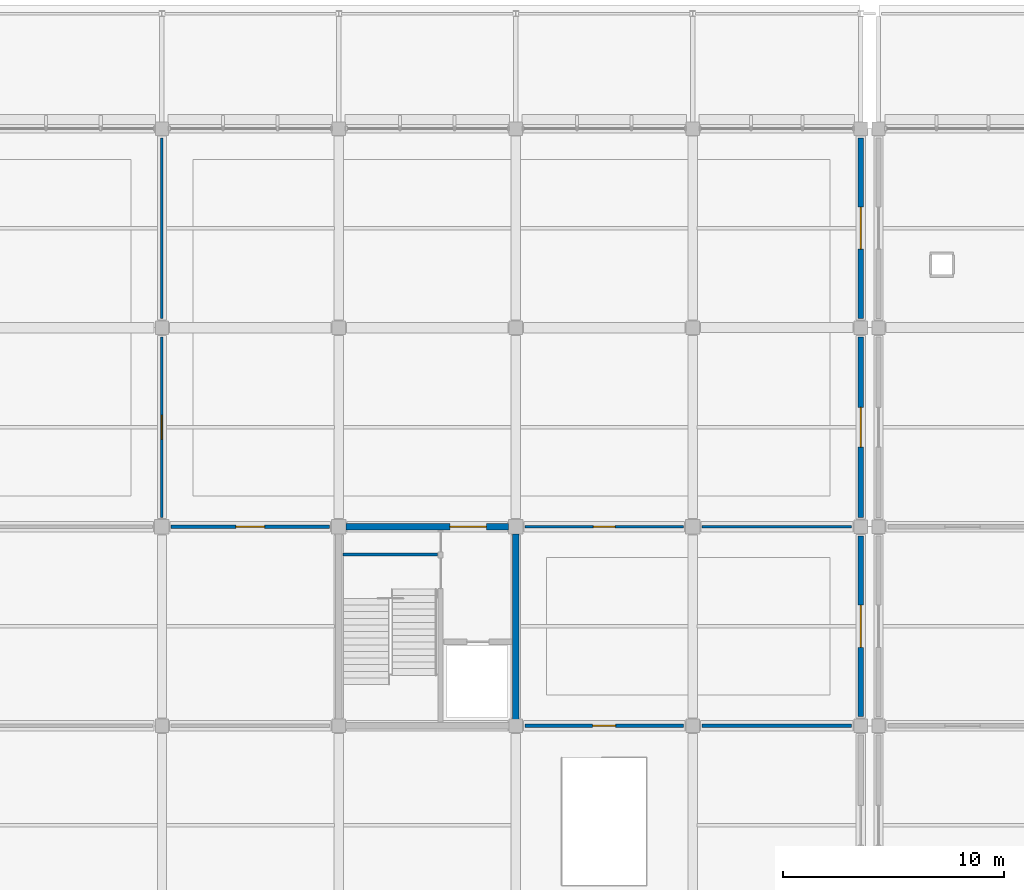
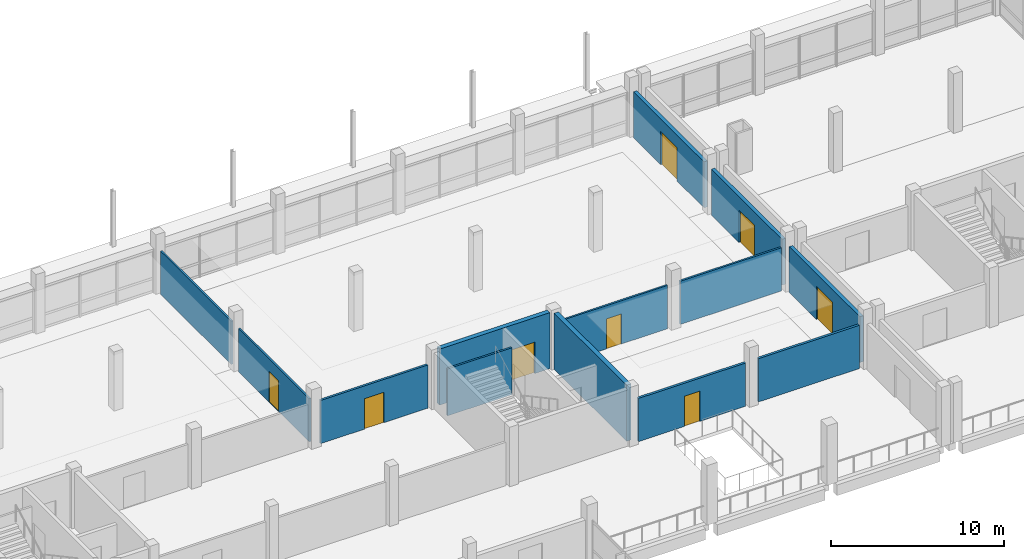
# One storey, part 46 of 57: 13 walls, 8 doors, 8 openings.
"""IFC4 building model written with IfcOpenShell, lengths in metres."""

from ifc_helpers import new_model, si_unit, direction, frame, frame_2d, origin, place, context, subcontext, project, spatial, rectangle, extrude, material, layer, layer_set, type_object, element, fill, save


model = new_model("IFC4")

# Units and contexts
model_context = context("Model", 3, precision=1e-05, world=origin(), true_north=direction((0.0, 1.0)))
body_context = subcontext(model_context, "Body", "Model", "MODEL_VIEW")
ifc_project = project(units=[si_unit("LENGTHUNIT", "METRE"), si_unit("AREAUNIT", "SQUARE_METRE"), si_unit("VOLUMEUNIT", "CUBIC_METRE"), si_unit("PLANEANGLEUNIT", "RADIAN"), si_unit("MASSUNIT", "GRAM", prefix="KILO"), si_unit("THERMODYNAMICTEMPERATUREUNIT", "KELVIN"), si_unit("POWERUNIT", "WATT")], contexts=[model_context])

# Site, building, storey
site_placement = place(None, origin())
site = spatial("IfcSite", under=ifc_project, at=site_placement, CompositionType="ELEMENT")
building_placement = place(site_placement, origin())
building = spatial("IfcBuilding", under=site, at=building_placement, Name="Kronsvod Quay Wholesale Market", CompositionType="ELEMENT")
storey_placement = place(building_placement, frame((0.0, 0.0, 4.800048828125)))
storey = spatial("IfcBuildingStorey", under=building, at=storey_placement, Name="L01", CompositionType="ELEMENT", Elevation=4.800048828125)

# Wall, opening, door
ifc_material_1 = material(Name="Concrete C35/45", Category="concrete")
ifc_layer_1 = layer(ifc_material_1, 0.300048828125)
ifc_layer_set_1 = layer_set([ifc_layer_1], Name="Concrete C35/45")
wall_type_1 = type_object("IfcWallType", Name="Wall_CoreShear300", PredefinedType="SHEAR", material=ifc_layer_set_1)
wall_1_placement = place(storey_placement, frame((104.320068359375, 108.0, 0.0), z_axis=(0.0, 0.0, 1.0), x_axis=(1.0, 0.0, 0.0)))
wall_1 = element("IfcWall", 1, at=wall_1_placement, inside=storey, type_object=wall_type_1, Name="CW-C09-L01-N", PredefinedType="SHEAR", context=body_context, shape_type="SweptSolid", body=[
    extrude(rectangle(XDim=7.35986328125, YDim=0.300048828125, at=frame_2d((3.679931640625, 0.0))), origin(), (0.0, 0.0, 1.0), 3.954833984375),
])
opening_1_placement = place(wall_1_placement, frame((4.699951171875, 0.0, 0.0)))
opening_1 = element("IfcOpeningElement", 2, at=opening_1_placement, cuts=wall_1, Name="Opening D-0096", PredefinedType="OPENING", context=body_context, shape_type="SweptSolid", body=[
    extrude(rectangle(XDim=1.64990234375, YDim=2.219970703125, at=frame_2d((0.824951171875, 1.10986328125))), frame((0.0, 0.16015625, 0.0), z_axis=(0.0, -1.0, 0.0), x_axis=(1.0, 0.0, 0.0)), (0.0, 0.0, 1.0), 0.320068359375),
])
ifc_material_2 = material(Name="Painted galvanized fire steel", Category="steel")
door_type_1 = type_object("IfcDoorType", Name="Door_FireLobby165x222", OperationType="DOUBLE_DOOR_SINGLE_SWING", PredefinedType="DOOR", material=ifc_material_2)
door_1_placement = place(opening_1_placement, origin())
door_1 = element("IfcDoor", 3, at=door_1_placement, inside=storey, type_object=door_type_1, Name="Core Lobby Door D-0096", OperationType="DOUBLE_DOOR_SINGLE_SWING", OverallHeight=2.219970703125, OverallWidth=1.64990234375, PredefinedType="DOOR", context=body_context, shape_type="SweptSolid", body=[
    extrude(rectangle(XDim=1.64990234375, YDim=2.219970703125, at=frame_2d((0.824951171875, 1.10986328125))), frame((0.0, 0.02490234375, 0.0), z_axis=(0.0, -1.0, 0.0), x_axis=(1.0, 0.0, 0.0)), (0.0, 0.0, 1.0), 0.050048828125),
])
fill(opening_1, door_1)

# Wall
wall_2_placement = place(storey_placement, frame((112.0, 99.294921875, 0.0), z_axis=(0.0, 0.0, 1.0), x_axis=(0.0, 1.0, 0.0)))
element("IfcWall", 4, at=wall_2_placement, inside=storey, type_object=wall_type_1, Name="CW-C09-L01-E", PredefinedType="SHEAR", context=body_context, shape_type="SweptSolid", body=[
    extrude(rectangle(XDim=8.385009765625, YDim=0.300048828125, at=frame_2d((4.1923828125, 0.0))), origin(), (0.0, 0.0, 1.0), 3.954833984375),
])

# Wall, opening, door
ifc_material_3 = material(Name="Precast concrete C40/50", Category="concrete")
ifc_layer_2 = layer(ifc_material_3, 0.239990234375)
ifc_layer_set_2 = layer_set([ifc_layer_2], Name="Precast concrete C40/50")
wall_type_2 = type_object("IfcWallType", Name="Wall_ExtSpandrel240", PredefinedType="SOLIDWALL", material=ifc_layer_set_2)
wall_3_placement = place(storey_placement, frame((127.60009765625, 99.419921875, 0.0), z_axis=(0.0, 0.0, 1.0), x_axis=(0.0, 1.0, 0.0)))
wall_3 = element("IfcWall", 5, at=wall_3_placement, inside=storey, type_object=wall_type_2, Name="MJWG-L01-1276-990", PredefinedType="SOLIDWALL", context=body_context, shape_type="SweptSolid", body=[
    extrude(rectangle(XDim=8.16015625, YDim=0.239990234375, at=frame_2d((4.080078125, 0.0))), origin(), (0.0, 0.0, 1.0), 3.239990234375),
])
opening_2_placement = place(wall_3_placement, frame((3.1298828125, 0.0, 0.0)))
opening_2 = element("IfcOpeningElement", 6, at=opening_2_placement, cuts=wall_3, Name="Opening D-0365", PredefinedType="OPENING", context=body_context, shape_type="SweptSolid", body=[
    extrude(rectangle(XDim=1.89990234375, YDim=2.35009765625, at=frame_2d((0.949951171875, 1.175048828125))), frame((0.0, 0.1298828125, 0.0), z_axis=(0.0, -1.0, 0.0), x_axis=(1.0, 0.0, 0.0)), (0.0, 0.0, 1.0), 0.260009765625),
])
ifc_material_4 = material(Name="Painted galvanized fire steel", Category="steel")
door_type_2 = type_object("IfcDoorType", Name="Door_FireComp190x235", OperationType="DOUBLE_DOOR_SINGLE_SWING", PredefinedType="DOOR", material=ifc_material_4)
door_2_placement = place(opening_2_placement, origin())
door_2 = element("IfcDoor", 7, at=door_2_placement, inside=storey, type_object=door_type_2, Name="Fire Compartment Door D-0365", OperationType="DOUBLE_DOOR_SINGLE_SWING", OverallHeight=2.35009765625, OverallWidth=1.89990234375, PredefinedType="DOOR", context=body_context, shape_type="SweptSolid", body=[
    extrude(rectangle(XDim=1.89990234375, YDim=2.35009765625, at=frame_2d((0.949951171875, 1.175048828125))), frame((0.0, 0.02490234375, 0.0), z_axis=(0.0, -1.0, 0.0), x_axis=(1.0, 0.0, 0.0)), (0.0, 0.0, 1.0), 0.050048828125),
])
fill(opening_2, door_2)

wall_4_placement = place(storey_placement, frame((127.60009765625, 108.419921875, 0.0), z_axis=(0.0, 0.0, 1.0), x_axis=(0.0, 1.0, 0.0)))
wall_4 = element("IfcWall", 8, at=wall_4_placement, inside=storey, type_object=wall_type_2, Name="MJWG-L01-1276-1080", PredefinedType="SOLIDWALL", context=body_context, shape_type="SweptSolid", body=[
    extrude(rectangle(XDim=8.16015625, YDim=0.239990234375, at=frame_2d((4.080078125, 0.0))), origin(), (0.0, 0.0, 1.0), 3.239990234375),
])
opening_3_placement = place(wall_4_placement, frame((3.179931640625, 0.0, 0.0)))
opening_3 = element("IfcOpeningElement", 9, at=opening_3_placement, cuts=wall_4, Name="Opening D-0366", PredefinedType="OPENING", context=body_context, shape_type="SweptSolid", body=[
    extrude(rectangle(XDim=1.800048828125, YDim=2.300048828125, at=frame_2d((0.89990234375, 1.14990234375))), frame((0.0, 0.1298828125, 0.0), z_axis=(0.0, -1.0, 0.0), x_axis=(1.0, 0.0, 0.0)), (0.0, 0.0, 1.0), 0.260009765625),
])
ifc_material_5 = material(Name="Painted galvanized fire steel", Category="steel")
door_type_3 = type_object("IfcDoorType", Name="Door_FireComp180x230", OperationType="DOUBLE_DOOR_SINGLE_SWING", PredefinedType="DOOR", material=ifc_material_5)
door_3_placement = place(opening_3_placement, origin())
door_3 = element("IfcDoor", 10, at=door_3_placement, inside=storey, type_object=door_type_3, Name="Fire Compartment Door D-0366", OperationType="DOUBLE_DOOR_SINGLE_SWING", OverallHeight=2.300048828125, OverallWidth=1.800048828125, PredefinedType="DOOR", context=body_context, shape_type="SweptSolid", body=[
    extrude(rectangle(XDim=1.800048828125, YDim=2.300048828125, at=frame_2d((0.89990234375, 1.14990234375))), frame((0.0, 0.02490234375, 0.0), z_axis=(0.0, -1.0, 0.0), x_axis=(1.0, 0.0, 0.0)), (0.0, 0.0, 1.0), 0.050048828125),
])
fill(opening_3, door_3)

wall_5_placement = place(storey_placement, frame((127.60009765625, 117.419921875, 0.0), z_axis=(0.0, 0.0, 1.0), x_axis=(0.0, 1.0, 0.0)))
wall_5 = element("IfcWall", 11, at=wall_5_placement, inside=storey, type_object=wall_type_2, Name="MJWG-L01-1276-1170", PredefinedType="SOLIDWALL", context=body_context, shape_type="SweptSolid", body=[
    extrude(rectangle(XDim=8.16015625, YDim=0.239990234375, at=frame_2d((4.080078125, 0.0))), origin(), (0.0, 0.0, 1.0), 3.239990234375),
])
opening_4_placement = place(wall_5_placement, frame((3.1298828125, 0.0, 0.0)))
opening_4 = element("IfcOpeningElement", 12, at=opening_4_placement, cuts=wall_5, Name="Opening D-0367", PredefinedType="OPENING", context=body_context, shape_type="SweptSolid", body=[
    extrude(rectangle(XDim=1.89990234375, YDim=2.35009765625, at=frame_2d((0.949951171875, 1.175048828125))), frame((0.0, 0.1298828125, 0.0), z_axis=(0.0, -1.0, 0.0), x_axis=(1.0, 0.0, 0.0)), (0.0, 0.0, 1.0), 0.260009765625),
])
door_4_placement = place(opening_4_placement, origin())
door_4 = element("IfcDoor", 13, at=door_4_placement, inside=storey, type_object=door_type_2, Name="Fire Compartment Door D-0367", OperationType="DOUBLE_DOOR_SINGLE_SWING", OverallHeight=2.35009765625, OverallWidth=1.89990234375, PredefinedType="DOOR", context=body_context, shape_type="SweptSolid", body=[
    extrude(rectangle(XDim=1.89990234375, YDim=2.35009765625, at=frame_2d((0.949951171875, 1.175048828125))), frame((0.0, 0.02490234375, 0.0), z_axis=(0.0, -1.0, 0.0), x_axis=(1.0, 0.0, 0.0)), (0.0, 0.0, 1.0), 0.050048828125),
])
fill(opening_4, door_4)

ifc_material_6 = material(Name="Fire-rated corridor gypsum partition")
ifc_layer_3 = layer(ifc_material_6, 0.159912109375)
ifc_layer_set_3 = layer_set([ifc_layer_3], Name="Fire-rated corridor gypsum partition")
wall_type_3 = type_object("IfcWallType", Name="Wall_PartCorridor160", PredefinedType="PARTITIONING", material=ifc_layer_set_3)
wall_6_placement = place(storey_placement, frame((112.419921875, 99.0, 0.0), z_axis=(0.0, 0.0, 1.0), x_axis=(1.0, 0.0, 0.0)))
wall_6 = element("IfcWall", 14, at=wall_6_placement, inside=storey, type_object=wall_type_3, Name="PW-L01-0074", PredefinedType="PARTITIONING", context=body_context, shape_type="SweptSolid", body=[
    extrude(rectangle(XDim=7.16015625, YDim=0.159912109375, at=frame_2d((3.580078125, 0.0))), origin(), (0.0, 0.0, 1.0), 3.050048828125),
])
opening_5_placement = place(wall_6_placement, frame((3.06005859375, 0.0, 0.0)))
opening_5 = element("IfcOpeningElement", 15, at=opening_5_placement, cuts=wall_6, Name="Opening D-0257", PredefinedType="OPENING", context=body_context, shape_type="SweptSolid", body=[
    extrude(rectangle(XDim=1.0400390625, YDim=2.1298828125, at=frame_2d((0.52001953125, 1.06494140625))), frame((0.0, 0.08984375, 0.0), z_axis=(0.0, -1.0, 0.0), x_axis=(1.0, 0.0, 0.0)), (0.0, 0.0, 1.0), 0.179931640625),
])
ifc_material_7 = material(Name="Solid-core timber office door", Category="wood")
door_type_4 = type_object("IfcDoorType", Name="Door_Office104x213", OperationType="NOTDEFINED", PredefinedType="DOOR", material=ifc_material_7)
door_5_placement = place(opening_5_placement, origin())
door_5 = element("IfcDoor", 16, at=door_5_placement, inside=storey, type_object=door_type_4, Name="Interior Door D-0257", OperationType="SINGLE_SWING_RIGHT", OverallHeight=2.1298828125, OverallWidth=1.0400390625, PredefinedType="DOOR", context=body_context, shape_type="SweptSolid", body=[
    extrude(rectangle(XDim=1.0400390625, YDim=2.1298828125, at=frame_2d((0.52001953125, 1.06494140625))), frame((0.0, 0.02490234375, 0.0), z_axis=(0.0, -1.0, 0.0), x_axis=(1.0, 0.0, 0.0)), (0.0, 0.0, 1.0), 0.050048828125),
])
fill(opening_5, door_5)

# Wall
wall_7_placement = place(storey_placement, frame((120.419921875, 99.0, 0.0), z_axis=(0.0, 0.0, 1.0), x_axis=(1.0, 0.0, 0.0)))
element("IfcWall", 17, at=wall_7_placement, inside=storey, type_object=wall_type_3, Name="PW-L01-0075", PredefinedType="PARTITIONING", context=body_context, shape_type="SweptSolid", body=[
    extrude(rectangle(XDim=6.760009765625, YDim=0.159912109375, at=frame_2d((3.3798828125, 0.0))), origin(), (0.0, 0.0, 1.0), 3.050048828125),
])

# Wall, opening, door
ifc_material_8 = material(Name="Ceramic-faced kitchen masonry partition", Category="masonry")
ifc_layer_4 = layer(ifc_material_8, 0.14501953125)
ifc_layer_set_4 = layer_set([ifc_layer_4], Name="Ceramic-faced kitchen masonry partition")
wall_type_4 = type_object("IfcWallType", Name="Wall_PartKitchen145", PredefinedType="PARTITIONING", material=ifc_layer_set_4)
wall_8_placement = place(storey_placement, frame((96.419921875, 108.0, 0.0), z_axis=(0.0, 0.0, 1.0), x_axis=(1.0, 0.0, 0.0)))
wall_8 = element("IfcWall", 18, at=wall_8_placement, inside=storey, type_object=wall_type_4, Name="PW-L01-0085", PredefinedType="PARTITIONING", context=body_context, shape_type="SweptSolid", body=[
    extrude(rectangle(XDim=7.16015625, YDim=0.14501953125, at=frame_2d((3.580078125, 0.0))), origin(), (0.0, 0.0, 1.0), 3.050048828125),
])
opening_6_placement = place(wall_8_placement, frame((2.929931640625, 0.0, 0.0)))
opening_6 = element("IfcOpeningElement", 19, at=opening_6_placement, cuts=wall_8, Name="Opening D-0265", PredefinedType="OPENING", context=body_context, shape_type="SweptSolid", body=[
    extrude(rectangle(XDim=1.300048828125, YDim=2.14990234375, at=frame_2d((0.64990234375, 1.074951171875))), frame((0.0, 0.08251953125, 0.0), z_axis=(0.0, -1.0, 0.0), x_axis=(1.0, 0.0, 0.0)), (0.0, 0.0, 1.0), 0.1650390625),
])
ifc_material_9 = material(Name="Stainless kitchen swing door", Category="steel")
door_type_5 = type_object("IfcDoorType", Name="Door_Kitchen130x215", OperationType="DOUBLE_DOOR_DOUBLE_SWING", PredefinedType="DOOR", material=ifc_material_9)
door_6_placement = place(opening_6_placement, origin())
door_6 = element("IfcDoor", 20, at=door_6_placement, inside=storey, type_object=door_type_5, Name="Interior Door D-0265", OperationType="DOUBLE_DOOR_DOUBLE_SWING", OverallHeight=2.14990234375, OverallWidth=1.300048828125, PredefinedType="DOOR", context=body_context, shape_type="SweptSolid", body=[
    extrude(rectangle(XDim=1.300048828125, YDim=2.14990234375, at=frame_2d((0.64990234375, 1.074951171875))), frame((0.0, 0.02490234375, 0.0), z_axis=(0.0, -1.0, 0.0), x_axis=(1.0, 0.0, 0.0)), (0.0, 0.0, 1.0), 0.050048828125),
])
fill(opening_6, door_6)

ifc_material_10 = material(Name="Lightweight demountable office partition")
ifc_layer_5 = layer(ifc_material_10, 0.1201171875)
ifc_layer_set_5 = layer_set([ifc_layer_5], Name="Lightweight demountable office partition")
wall_type_5 = type_object("IfcWallType", Name="Wall_PartOffice120", PredefinedType="PARTITIONING", material=ifc_layer_set_5)
wall_9_placement = place(storey_placement, frame((96.0, 108.419921875, 0.0), z_axis=(0.0, 0.0, 1.0), x_axis=(0.0, 1.0, 0.0)))
wall_9 = element("IfcWall", 21, at=wall_9_placement, inside=storey, type_object=wall_type_5, Name="PW-L01-0090", PredefinedType="PARTITIONING", context=body_context, shape_type="SweptSolid", body=[
    extrude(rectangle(XDim=8.16015625, YDim=0.1201171875, at=frame_2d((4.080078125, 0.0))), origin(), (0.0, 0.0, 1.0), 3.050048828125),
])
opening_7_placement = place(wall_9_placement, frame((3.5400390625, 0.0, 0.0)))
opening_7 = element("IfcOpeningElement", 22, at=opening_7_placement, cuts=wall_9, Name="Opening D-0269", PredefinedType="OPENING", context=body_context, shape_type="SweptSolid", body=[
    extrude(rectangle(XDim=1.080078125, YDim=2.159912109375, at=frame_2d((0.5400390625, 1.080078125))), frame((0.0, 0.070068359375, 0.0), z_axis=(0.0, -1.0, 0.0), x_axis=(1.0, 0.0, 0.0)), (0.0, 0.0, 1.0), 0.14013671875),
])
ifc_material_11 = material(Name="Solid-core timber office door", Category="wood")
door_type_6 = type_object("IfcDoorType", Name="Door_Office108x216", OperationType="NOTDEFINED", PredefinedType="DOOR", material=ifc_material_11)
door_7_placement = place(opening_7_placement, origin())
door_7 = element("IfcDoor", 23, at=door_7_placement, inside=storey, type_object=door_type_6, Name="Interior Door D-0269", OperationType="SINGLE_SWING_RIGHT", OverallHeight=2.159912109375, OverallWidth=1.080078125, PredefinedType="DOOR", context=body_context, shape_type="SweptSolid", body=[
    extrude(rectangle(XDim=1.080078125, YDim=2.159912109375, at=frame_2d((0.5400390625, 1.080078125))), frame((0.0, 0.02490234375, 0.0), z_axis=(0.0, -1.0, 0.0), x_axis=(1.0, 0.0, 0.0)), (0.0, 0.0, 1.0), 0.050048828125),
])
fill(opening_7, door_7)

# Wall
wall_10_placement = place(storey_placement, frame((96.0, 117.419921875, 0.0), z_axis=(0.0, 0.0, 1.0), x_axis=(0.0, 1.0, 0.0)))
element("IfcWall", 24, at=wall_10_placement, inside=storey, type_object=wall_type_5, Name="PW-L01-0091", PredefinedType="PARTITIONING", context=body_context, shape_type="SweptSolid", body=[
    extrude(rectangle(XDim=8.16015625, YDim=0.1201171875, at=frame_2d((4.080078125, 0.0))), origin(), (0.0, 0.0, 1.0), 3.050048828125),
])

# Wall, opening, door
ifc_material_12 = material(Name="Metal-stud gypsum office partition")
ifc_layer_6 = layer(ifc_material_12, 0.125)
ifc_layer_set_6 = layer_set([ifc_layer_6], Name="Metal-stud gypsum office partition")
wall_type_6 = type_object("IfcWallType", Name="Wall_PartOffice125", PredefinedType="PARTITIONING", material=ifc_layer_set_6)
wall_11_placement = place(storey_placement, frame((112.419921875, 108.0, 0.0), z_axis=(0.0, 0.0, 1.0), x_axis=(1.0, 0.0, 0.0)))
wall_11 = element("IfcWall", 25, at=wall_11_placement, inside=storey, type_object=wall_type_6, Name="PW-L01-0086", PredefinedType="PARTITIONING", context=body_context, shape_type="SweptSolid", body=[
    extrude(rectangle(XDim=7.16015625, YDim=0.125, at=frame_2d((3.580078125, 0.0))), origin(), (0.0, 0.0, 1.0), 3.050048828125),
])
opening_8_placement = place(wall_11_placement, frame((3.090087890625, 0.0, 0.0)))
opening_8 = element("IfcOpeningElement", 26, at=opening_8_placement, cuts=wall_11, Name="Opening D-0266", PredefinedType="OPENING", context=body_context, shape_type="SweptSolid", body=[
    extrude(rectangle(XDim=0.97998046875, YDim=2.1201171875, at=frame_2d((0.489990234375, 1.06005859375))), frame((0.0, 0.072509765625, 0.0), z_axis=(0.0, -1.0, 0.0), x_axis=(1.0, 0.0, 0.0)), (0.0, 0.0, 1.0), 0.14501953125),
])
ifc_material_13 = material(Name="Solid-core timber office door", Category="wood")
door_type_7 = type_object("IfcDoorType", Name="Door_Office98x212", OperationType="NOTDEFINED", PredefinedType="DOOR", material=ifc_material_13)
door_8_placement = place(opening_8_placement, origin())
door_8 = element("IfcDoor", 27, at=door_8_placement, inside=storey, type_object=door_type_7, Name="Interior Door D-0266", OperationType="SINGLE_SWING_LEFT", OverallHeight=2.1201171875, OverallWidth=0.97998046875, PredefinedType="DOOR", context=body_context, shape_type="SweptSolid", body=[
    extrude(rectangle(XDim=0.97998046875, YDim=2.1201171875, at=frame_2d((0.489990234375, 1.06005859375))), frame((0.0, 0.02490234375, 0.0), z_axis=(0.0, -1.0, 0.0), x_axis=(1.0, 0.0, 0.0)), (0.0, 0.0, 1.0), 0.050048828125),
])
fill(opening_8, door_8)

# Walls
wall_12_placement = place(storey_placement, frame((120.419921875, 108.0, 0.0), z_axis=(0.0, 0.0, 1.0), x_axis=(1.0, 0.0, 0.0)))
element("IfcWall", 28, at=wall_12_placement, inside=storey, type_object=wall_type_6, Name="PW-L01-0087", PredefinedType="PARTITIONING", context=body_context, shape_type="SweptSolid", body=[
    extrude(rectangle(XDim=6.760009765625, YDim=0.125, at=frame_2d((3.3798828125, 0.0))), origin(), (0.0, 0.0, 1.0), 3.050048828125),
])
ifc_material_14 = material(Name="Fire-rated shaft riser block wall", Category="masonry")
ifc_layer_7 = layer(ifc_material_14, 0.1298828125)
ifc_layer_set_7 = layer_set([ifc_layer_7], Name="Fire-rated shaft riser block wall")
wall_type_7 = type_object("IfcWallType", Name="Wall_PartRiser130", PredefinedType="PARTITIONING", material=ifc_layer_set_7)
wall_13_placement = place(storey_placement, frame((104.179931640625, 106.75, 0.0), z_axis=(0.0, 0.0, 1.0), x_axis=(1.0, 0.0, 0.0)))
element("IfcWall", 29, at=wall_13_placement, inside=storey, type_object=wall_type_7, Name="CW-C09-L01-RSR", PredefinedType="PARTITIONING", context=body_context, shape_type="SweptSolid", body=[
    extrude(rectangle(XDim=4.280029296875, YDim=0.1298828125, at=frame_2d((2.14013671875, 0.0))), origin(), (0.0, 0.0, 1.0), 3.304931640625),
])

save(model, "model.ifc")
